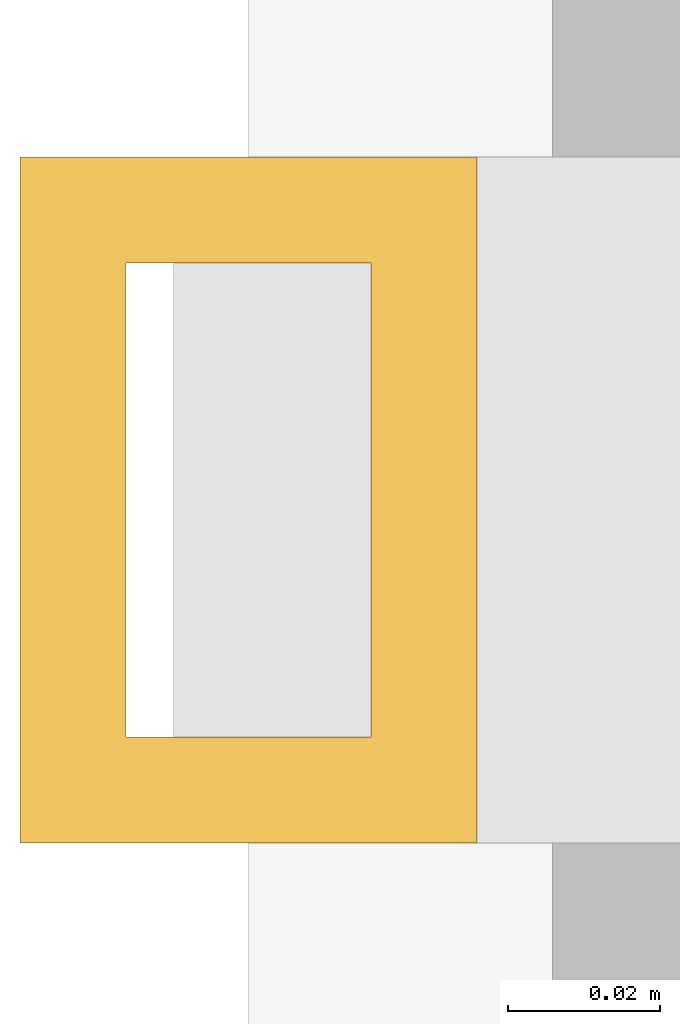
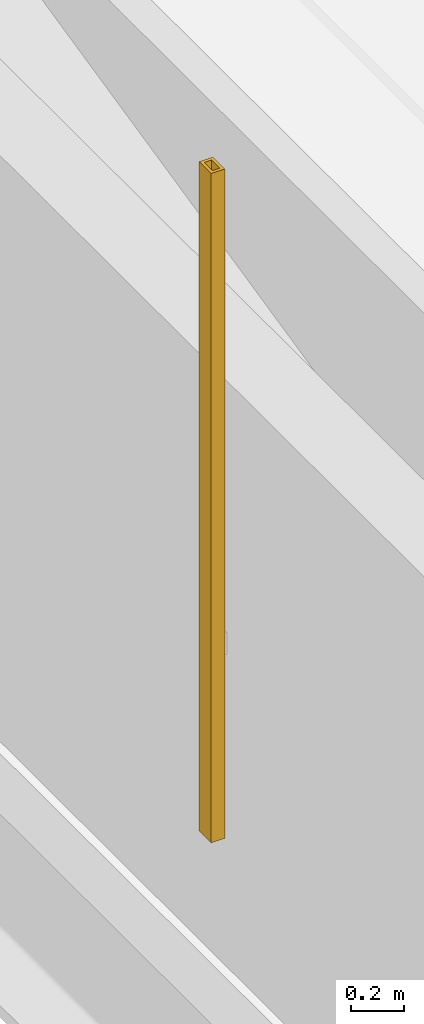
# One storey, part 20 of 31: 1 shading device.
"""IFC4 building model written with IfcOpenShell, lengths in metres."""

import ifcopenshell
import ifcopenshell.guid

model = None  # the IFC model being written
_history = None  # IfcOwnerHistory: only IFC2X3 demands one
_inside = {}  # id of a spatial element -> (the spatial element, [elements in it])
_under = {}  # id of a project, library or spatial element -> (it, [spatial elements below it])
_declared = {}  # id of a project -> (the project, [libraries it declares])
_typed = {}  # id of a type object -> (the type object, [elements of that type])
_made_of = {}  # id of a material, layer set ... -> (it, [elements and type objects made of it])


def new_model(schema):
    """Start an empty IFC model of exactly this schema.

    Asked for "IFC4X3", IfcOpenShell would pick the latest addendum, in which some entities
    have other attributes; the version numbers below select the first issue.
    IFC2X3 requires an IfcOwnerHistory on every rooted entity: one is made here for all.
    """
    global model, _history
    if schema == "IFC4X3":
        model = ifcopenshell.file(schema_version=(4, 3, 0, 0))
    else:
        model = ifcopenshell.file(schema=schema)
    _inside.clear()
    _under.clear()
    _declared.clear()
    _typed.clear()
    _made_of.clear()
    _history = None
    if model.schema == "IFC2X3":
        org = make("IfcOrganization", Name="unknown")
        user = make(
            "IfcPersonAndOrganization",
            ThePerson=make("IfcPerson", FamilyName="unknown"),
            TheOrganization=org,
        )
        app = make(
            "IfcApplication",
            ApplicationDeveloper=org,
            Version="unknown",
            ApplicationFullName="unknown",
            ApplicationIdentifier="unknown",
        )
        _history = make(
            "IfcOwnerHistory",
            OwningUser=user,
            OwningApplication=app,
            ChangeAction="ADDED",
            CreationDate=0,
        )
    return model


def make(cls, **values):
    """One entity of the class cls with the attributes given. An attribute that is None is left unset."""
    return model.create_entity(
        cls, **{name: value for name, value in values.items() if value is not None}
    )


def rooted(cls, **values):
    """An entity with a GlobalId (a new one), such as an element, a storey or a relation."""
    return make(cls, GlobalId=ifcopenshell.guid.new(), OwnerHistory=_history, **values)


def si_unit(unit_type, name, prefix=None):
    """IfcSIUnit, for example si_unit("LENGTHUNIT", "METRE", prefix="MILLI")."""
    return make("IfcSIUnit", UnitType=unit_type, Prefix=prefix, Name=name)


def assignment(units):
    """IfcUnitAssignment: the units of a project."""
    return None if units is None else make("IfcUnitAssignment", Units=units)


def point(xyz):
    """IfcCartesianPoint."""
    return None if xyz is None else make("IfcCartesianPoint", Coordinates=xyz)


def direction(xyz):
    """IfcDirection."""
    return None if xyz is None else make("IfcDirection", DirectionRatios=xyz)


def frame(location, z_axis=None, x_axis=None):
    """IfcAxis2Placement3D, a coordinate frame: its origin and axes. An axis left out is left unset."""
    return make(
        "IfcAxis2Placement3D",
        Location=point(location),
        Axis=direction(z_axis),
        RefDirection=direction(x_axis),
    )


def frame_2d(location, x_axis=None):
    """IfcAxis2Placement2D, a coordinate frame in the plane: its origin and x axis."""
    return make(
        "IfcAxis2Placement2D", Location=point(location), RefDirection=direction(x_axis)
    )


def origin():
    """The frame at (0, 0, 0) with its axes left unset."""
    return frame((0.0, 0.0, 0.0))


def origin_2d():
    """The frame at (0, 0) in the plane with its x axis left unset."""
    return frame_2d((0.0, 0.0))


def place(relative_to, where):
    """IfcLocalPlacement: puts the frame where relative to a parent placement (None: the world)."""
    return make(
        "IfcLocalPlacement", PlacementRelTo=relative_to, RelativePlacement=where
    )


def context(
    kind, dimensions, precision=None, world=None, true_north=None, identifier=None
):
    """IfcGeometricRepresentationContext, for example the 3D "Model" context."""
    return make(
        "IfcGeometricRepresentationContext",
        ContextIdentifier=identifier,
        ContextType=kind,
        CoordinateSpaceDimension=dimensions,
        Precision=precision,
        WorldCoordinateSystem=world,
        TrueNorth=true_north,
    )


def subcontext(parent, identifier, kind, view, scale=None):
    """IfcGeometricRepresentationSubContext, for example "Body" below "Model"."""
    return make(
        "IfcGeometricRepresentationSubContext",
        ContextIdentifier=identifier,
        ContextType=kind,
        ParentContext=parent,
        TargetScale=scale,
        TargetView=view,
    )


def project(units=None, contexts=None):
    """IfcProject with its units and contexts."""
    return rooted(
        "IfcProject",
        Name="project",
        RepresentationContexts=contexts,
        UnitsInContext=assignment(units),
    )


def spatial(cls, under=None, at=None, **own):
    """A site, building, storey or space (cls), placed at a placement, below another one or the project."""
    s = rooted(cls, ObjectPlacement=at, **own)
    if under is not None:
        _under.setdefault(under.id(), (under, []))[1].append(s)
    return s


def profile(cls, at=None, kind="AREA", **sizes):
    """A parametric profile (cls). Its sizes go by their IFC names, for example OverallWidth=200.0."""
    return make(cls, ProfileType=kind, Position=at, **sizes)


def hollow_rectangle(**sizes):
    """IfcRectangleHollowProfileDef."""
    return profile("IfcRectangleHollowProfileDef", **sizes)


def extrude(swept, where, along, depth):
    """IfcExtrudedAreaSolid: the profile swept, set in the frame where, extruded along a direction by depth."""
    return make(
        "IfcExtrudedAreaSolid",
        SweptArea=swept,
        Position=where,
        ExtrudedDirection=direction(along),
        Depth=depth,
    )


def shape(context_of_items, identifier, shape_type, items):
    """IfcShapeRepresentation: the items that make up one representation, for example the "Body"."""
    return make(
        "IfcShapeRepresentation",
        ContextOfItems=context_of_items,
        RepresentationIdentifier=identifier,
        RepresentationType=shape_type,
        Items=items,
    )


def material(Name=None, Category=None):
    """IfcMaterial."""
    return make("IfcMaterial", Name=Name, Category=Category)


def material_profile(
    of_material, cross_section, Name=None, Category=None, Priority=None
):
    """IfcMaterialProfile: a cross section and its material."""
    return make(
        "IfcMaterialProfile",
        Name=Name,
        Material=of_material,
        Profile=cross_section,
        Priority=Priority,
        Category=Category,
    )


def profile_set(profiles, Name=None, composite=None):
    """IfcMaterialProfileSet."""
    return make(
        "IfcMaterialProfileSet",
        Name=Name,
        MaterialProfiles=profiles,
        CompositeProfile=composite,
    )


def made_of(thing, what):
    """Note that an element or type object is made of a material, layer set ...; save() writes the relation."""
    if what is not None:
        _made_of.setdefault(what.id(), (what, []))[1].append(thing)
    return thing


def type_object(cls, material=None, **own):
    """A type object (cls), such as IfcWallType, which elements share."""
    return made_of(rooted(cls, **own), material)


def element(
    cls,
    number,
    at=None,
    inside=None,
    cuts=None,
    type_object=None,
    material=None,
    context=None,
    identifier="Body",
    shape_type=None,
    held_by="IfcProductDefinitionShape",
    body=None,
    shapes=None,
    **own,
):
    """One element of the class cls, such as IfcWall. Its Tag is "e" and its number.

    at: its placement. inside: the storey or other place that contains it. cuts: it is an
    opening in that element (IfcRelVoidsElement). A single representation is given by context,
    identifier, shape_type and body (its items); several are given by shapes. held_by: the class
    of the entity that holds the representations. save() writes the other relations.
    """
    e = rooted(cls, Tag="e%d" % number, ObjectPlacement=at, **own)
    if body is not None:
        shapes = [shape(context, identifier, shape_type, body)]
    if shapes is not None:
        e.Representation = make(held_by, Representations=shapes)
    if inside is not None:
        _inside.setdefault(inside.id(), (inside, []))[1].append(e)
    if cuts is not None:
        rooted(
            "IfcRelVoidsElement", RelatingBuildingElement=cuts, RelatedOpeningElement=e
        )
    if type_object is not None:
        _typed.setdefault(type_object.id(), (type_object, []))[1].append(e)
    return made_of(e, material)


def aggregate(whole, parts):
    """IfcRelAggregates: a whole, such as a stair, and the parts it consists of."""
    return rooted("IfcRelAggregates", RelatingObject=whole, RelatedObjects=parts)


def save(model, path):
    """Write the relations noted so far, then the file.

    IfcRelAggregates (storeys below a building ...), IfcRelContainedInSpatialStructure (elements
    in a storey), IfcRelDefinesByType, IfcRelAssociatesMaterial and IfcRelDeclares: one each for
    every whole, place, type object, material and project.
    """
    for whole, parts in _under.values():
        aggregate(whole, parts)
    for where, things in _inside.values():
        rooted(
            "IfcRelContainedInSpatialStructure",
            RelatedElements=things,
            RelatingStructure=where,
        )
    for kind, things in _typed.values():
        rooted("IfcRelDefinesByType", RelatedObjects=things, RelatingType=kind)
    for what, things in _made_of.values():
        rooted("IfcRelAssociatesMaterial", RelatedObjects=things, RelatingMaterial=what)
    for by, libraries in _declared.values():
        rooted("IfcRelDeclares", RelatingContext=by, RelatedDefinitions=libraries)
    model.write(path)


model = new_model("IFC4")

# Units and contexts
model_context = context("Model", 3, precision=1e-05, world=origin(), true_north=direction((0.0, 1.0)))
body_context = subcontext(model_context, "Body", "Model", "MODEL_VIEW")
ifc_project = project(units=[si_unit("LENGTHUNIT", "METRE"), si_unit("AREAUNIT", "SQUARE_METRE"), si_unit("VOLUMEUNIT", "CUBIC_METRE"), si_unit("PLANEANGLEUNIT", "RADIAN"), si_unit("MASSUNIT", "GRAM", prefix="KILO")], contexts=[model_context])

# Site, building, storey
site_placement = place(None, origin())
site = spatial("IfcSite", under=ifc_project, at=site_placement, CompositionType="ELEMENT")
building_placement = place(site_placement, origin())
building = spatial("IfcBuilding", under=site, at=building_placement, Name="Punatoya Terracotta Tower", CompositionType="ELEMENT")
storey_placement = place(building_placement, frame((0.0, 0.0, 283.800048828125)))
storey = spatial("IfcBuildingStorey", under=building, at=storey_placement, Name="L67", CompositionType="ELEMENT", Elevation=283.800048828125)

# Shading device
ifc_material = material(Name="Architectural Fired Terracotta", Category="masonry")
ifc_material_profile = material_profile(ifc_material, hollow_rectangle(XDim=0.06005859375, YDim=0.090087890625, WallThickness=0.013916015625, at=origin_2d()))
ifc_profile_set = profile_set([ifc_material_profile], Name="Architectural Fired Terracotta")
shading_device_type = type_object("IfcShadingDeviceType", Name="SHD-JALI-90", PredefinedType="JALOUSIE", material=ifc_profile_set)
shading_device_placement = place(storey_placement, frame((-25.050048828125, -9.093505859375, 0.599853515625), z_axis=(0.0, 0.0, 1.0), x_axis=(1.0, 0.0, 0.0)))
element("IfcShadingDevice", 1, at=shading_device_placement, inside=storey, type_object=shading_device_type, Name="L67 Braced Bay Terracotta Jali Fin W2", PredefinedType="JALOUSIE", context=body_context, shape_type="SweptSolid", body=[
    extrude(hollow_rectangle(XDim=0.06005859375, YDim=0.090087890625, WallThickness=0.013916015625, at=origin_2d()), origin(), (0.0, 0.0, 1.0), 3.10009765625),
])

save(model, "model.ifc")
